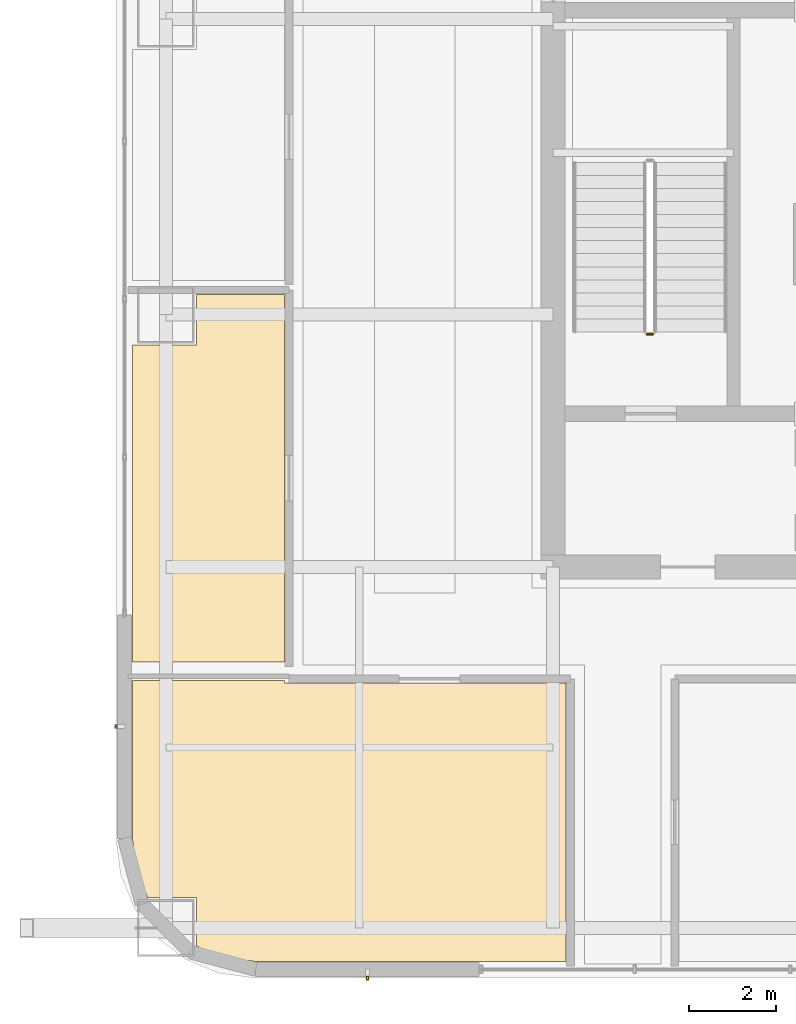
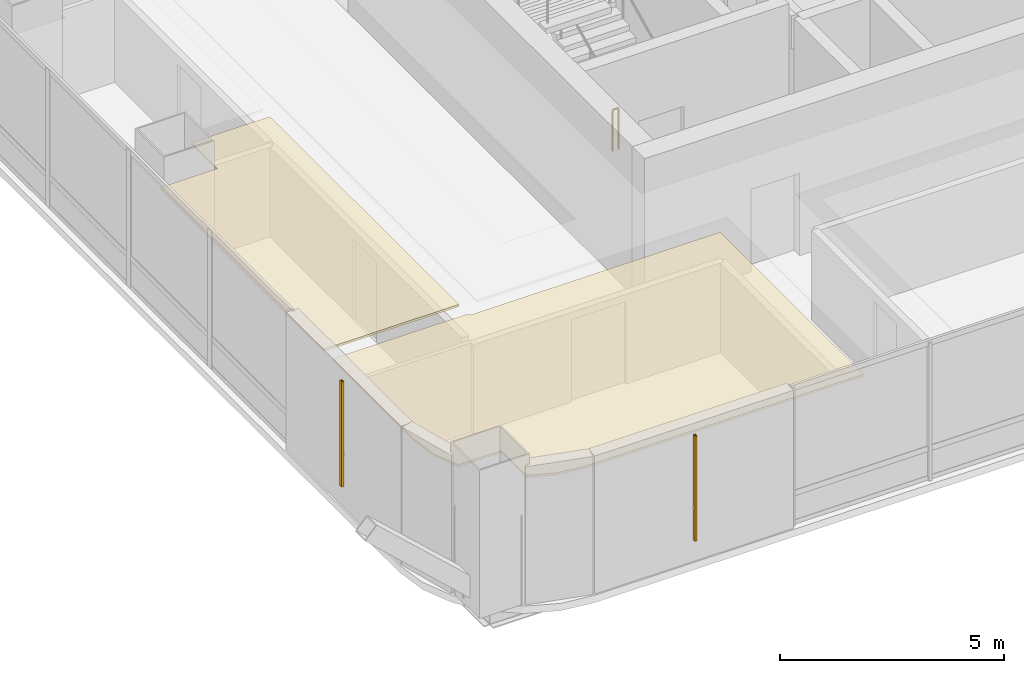
# One storey, part 41 of 51: 2 coverings, 2 shading devices, 1 railing.
"""IFC4 building model written with IfcOpenShell, lengths in metres."""

import ifcopenshell
import ifcopenshell.guid

model = None  # the IFC model being written
_history = None  # IfcOwnerHistory: only IFC2X3 demands one
_inside = {}  # id of a spatial element -> (the spatial element, [elements in it])
_under = {}  # id of a project, library or spatial element -> (it, [spatial elements below it])
_declared = {}  # id of a project -> (the project, [libraries it declares])
_typed = {}  # id of a type object -> (the type object, [elements of that type])
_made_of = {}  # id of a material, layer set ... -> (it, [elements and type objects made of it])


def new_model(schema):
    """Start an empty IFC model of exactly this schema.

    Asked for "IFC4X3", IfcOpenShell would pick the latest addendum, in which some entities
    have other attributes; the version numbers below select the first issue.
    IFC2X3 requires an IfcOwnerHistory on every rooted entity: one is made here for all.
    """
    global model, _history
    if schema == "IFC4X3":
        model = ifcopenshell.file(schema_version=(4, 3, 0, 0))
    else:
        model = ifcopenshell.file(schema=schema)
    _inside.clear()
    _under.clear()
    _declared.clear()
    _typed.clear()
    _made_of.clear()
    _history = None
    if model.schema == "IFC2X3":
        org = make("IfcOrganization", Name="unknown")
        user = make(
            "IfcPersonAndOrganization",
            ThePerson=make("IfcPerson", FamilyName="unknown"),
            TheOrganization=org,
        )
        app = make(
            "IfcApplication",
            ApplicationDeveloper=org,
            Version="unknown",
            ApplicationFullName="unknown",
            ApplicationIdentifier="unknown",
        )
        _history = make(
            "IfcOwnerHistory",
            OwningUser=user,
            OwningApplication=app,
            ChangeAction="ADDED",
            CreationDate=0,
        )
    return model


def make(cls, **values):
    """One entity of the class cls with the attributes given. An attribute that is None is left unset."""
    return model.create_entity(
        cls, **{name: value for name, value in values.items() if value is not None}
    )


def rooted(cls, **values):
    """An entity with a GlobalId (a new one), such as an element, a storey or a relation."""
    return make(cls, GlobalId=ifcopenshell.guid.new(), OwnerHistory=_history, **values)


def si_unit(unit_type, name, prefix=None):
    """IfcSIUnit, for example si_unit("LENGTHUNIT", "METRE", prefix="MILLI")."""
    return make("IfcSIUnit", UnitType=unit_type, Prefix=prefix, Name=name)


def assignment(units):
    """IfcUnitAssignment: the units of a project."""
    return None if units is None else make("IfcUnitAssignment", Units=units)


def point(xyz):
    """IfcCartesianPoint."""
    return None if xyz is None else make("IfcCartesianPoint", Coordinates=xyz)


def direction(xyz):
    """IfcDirection."""
    return None if xyz is None else make("IfcDirection", DirectionRatios=xyz)


def frame(location, z_axis=None, x_axis=None):
    """IfcAxis2Placement3D, a coordinate frame: its origin and axes. An axis left out is left unset."""
    return make(
        "IfcAxis2Placement3D",
        Location=point(location),
        Axis=direction(z_axis),
        RefDirection=direction(x_axis),
    )


def frame_2d(location, x_axis=None):
    """IfcAxis2Placement2D, a coordinate frame in the plane: its origin and x axis."""
    return make(
        "IfcAxis2Placement2D", Location=point(location), RefDirection=direction(x_axis)
    )


def origin():
    """The frame at (0, 0, 0) with its axes left unset."""
    return frame((0.0, 0.0, 0.0))


def origin_2d():
    """The frame at (0, 0) in the plane with its x axis left unset."""
    return frame_2d((0.0, 0.0))


def place(relative_to, where):
    """IfcLocalPlacement: puts the frame where relative to a parent placement (None: the world)."""
    return make(
        "IfcLocalPlacement", PlacementRelTo=relative_to, RelativePlacement=where
    )


def context(
    kind, dimensions, precision=None, world=None, true_north=None, identifier=None
):
    """IfcGeometricRepresentationContext, for example the 3D "Model" context."""
    return make(
        "IfcGeometricRepresentationContext",
        ContextIdentifier=identifier,
        ContextType=kind,
        CoordinateSpaceDimension=dimensions,
        Precision=precision,
        WorldCoordinateSystem=world,
        TrueNorth=true_north,
    )


def subcontext(parent, identifier, kind, view, scale=None):
    """IfcGeometricRepresentationSubContext, for example "Body" below "Model"."""
    return make(
        "IfcGeometricRepresentationSubContext",
        ContextIdentifier=identifier,
        ContextType=kind,
        ParentContext=parent,
        TargetScale=scale,
        TargetView=view,
    )


def project(units=None, contexts=None):
    """IfcProject with its units and contexts."""
    return rooted(
        "IfcProject",
        Name="project",
        RepresentationContexts=contexts,
        UnitsInContext=assignment(units),
    )


def spatial(cls, under=None, at=None, **own):
    """A site, building, storey or space (cls), placed at a placement, below another one or the project."""
    s = rooted(cls, ObjectPlacement=at, **own)
    if under is not None:
        _under.setdefault(under.id(), (under, []))[1].append(s)
    return s


def polyline(points):
    """IfcPolyline through the points."""
    return make("IfcPolyline", Points=[point(p) for p in points])


def profile(cls, at=None, kind="AREA", **sizes):
    """A parametric profile (cls). Its sizes go by their IFC names, for example OverallWidth=200.0."""
    return make(cls, ProfileType=kind, Position=at, **sizes)


def hollow_rectangle(**sizes):
    """IfcRectangleHollowProfileDef."""
    return profile("IfcRectangleHollowProfileDef", **sizes)


def circle(**sizes):
    """IfcCircleProfileDef."""
    return profile("IfcCircleProfileDef", **sizes)


def outline(outer, holes=None, kind="AREA"):
    """IfcArbitraryClosedProfileDef: a profile drawn as a closed curve; with holes, ...WithVoids."""
    if holes is None:
        return make("IfcArbitraryClosedProfileDef", ProfileType=kind, OuterCurve=outer)
    return make(
        "IfcArbitraryProfileDefWithVoids",
        ProfileType=kind,
        OuterCurve=outer,
        InnerCurves=holes,
    )


def extrude(swept, where, along, depth):
    """IfcExtrudedAreaSolid: the profile swept, set in the frame where, extruded along a direction by depth."""
    return make(
        "IfcExtrudedAreaSolid",
        SweptArea=swept,
        Position=where,
        ExtrudedDirection=direction(along),
        Depth=depth,
    )


def shape(context_of_items, identifier, shape_type, items):
    """IfcShapeRepresentation: the items that make up one representation, for example the "Body"."""
    return make(
        "IfcShapeRepresentation",
        ContextOfItems=context_of_items,
        RepresentationIdentifier=identifier,
        RepresentationType=shape_type,
        Items=items,
    )


def material(Name=None, Category=None):
    """IfcMaterial."""
    return make("IfcMaterial", Name=Name, Category=Category)


def layer(
    of_material, thickness, ventilated=None, Name=None, Category=None, Priority=None
):
    """IfcMaterialLayer: one layer of a wall or slab, of a material (None: an air gap)."""
    return make(
        "IfcMaterialLayer",
        Material=of_material,
        LayerThickness=thickness,
        IsVentilated=ventilated,
        Name=Name,
        Category=Category,
        Priority=Priority,
    )


def layer_set(layers, Name=None):
    """IfcMaterialLayerSet."""
    return make("IfcMaterialLayerSet", MaterialLayers=layers, LayerSetName=Name)


def material_profile(
    of_material, cross_section, Name=None, Category=None, Priority=None
):
    """IfcMaterialProfile: a cross section and its material."""
    return make(
        "IfcMaterialProfile",
        Name=Name,
        Material=of_material,
        Profile=cross_section,
        Priority=Priority,
        Category=Category,
    )


def profile_set(profiles, Name=None, composite=None):
    """IfcMaterialProfileSet."""
    return make(
        "IfcMaterialProfileSet",
        Name=Name,
        MaterialProfiles=profiles,
        CompositeProfile=composite,
    )


def made_of(thing, what):
    """Note that an element or type object is made of a material, layer set ...; save() writes the relation."""
    if what is not None:
        _made_of.setdefault(what.id(), (what, []))[1].append(thing)
    return thing


def type_object(cls, material=None, **own):
    """A type object (cls), such as IfcWallType, which elements share."""
    return made_of(rooted(cls, **own), material)


def element(
    cls,
    number,
    at=None,
    inside=None,
    cuts=None,
    type_object=None,
    material=None,
    context=None,
    identifier="Body",
    shape_type=None,
    held_by="IfcProductDefinitionShape",
    body=None,
    shapes=None,
    **own,
):
    """One element of the class cls, such as IfcWall. Its Tag is "e" and its number.

    at: its placement. inside: the storey or other place that contains it. cuts: it is an
    opening in that element (IfcRelVoidsElement). A single representation is given by context,
    identifier, shape_type and body (its items); several are given by shapes. held_by: the class
    of the entity that holds the representations. save() writes the other relations.
    """
    e = rooted(cls, Tag="e%d" % number, ObjectPlacement=at, **own)
    if body is not None:
        shapes = [shape(context, identifier, shape_type, body)]
    if shapes is not None:
        e.Representation = make(held_by, Representations=shapes)
    if inside is not None:
        _inside.setdefault(inside.id(), (inside, []))[1].append(e)
    if cuts is not None:
        rooted(
            "IfcRelVoidsElement", RelatingBuildingElement=cuts, RelatedOpeningElement=e
        )
    if type_object is not None:
        _typed.setdefault(type_object.id(), (type_object, []))[1].append(e)
    return made_of(e, material)


def aggregate(whole, parts):
    """IfcRelAggregates: a whole, such as a stair, and the parts it consists of."""
    return rooted("IfcRelAggregates", RelatingObject=whole, RelatedObjects=parts)


def save(model, path):
    """Write the relations noted so far, then the file.

    IfcRelAggregates (storeys below a building ...), IfcRelContainedInSpatialStructure (elements
    in a storey), IfcRelDefinesByType, IfcRelAssociatesMaterial and IfcRelDeclares: one each for
    every whole, place, type object, material and project.
    """
    for whole, parts in _under.values():
        aggregate(whole, parts)
    for where, things in _inside.values():
        rooted(
            "IfcRelContainedInSpatialStructure",
            RelatedElements=things,
            RelatingStructure=where,
        )
    for kind, things in _typed.values():
        rooted("IfcRelDefinesByType", RelatedObjects=things, RelatingType=kind)
    for what, things in _made_of.values():
        rooted("IfcRelAssociatesMaterial", RelatedObjects=things, RelatingMaterial=what)
    for by, libraries in _declared.values():
        rooted("IfcRelDeclares", RelatingContext=by, RelatedDefinitions=libraries)
    model.write(path)


model = new_model("IFC4")

# Units and contexts
model_context = context("Model", 3, precision=1e-05, world=origin(), true_north=direction((0.0, 1.0)))
body_context = subcontext(model_context, "Body", "Model", "MODEL_VIEW")
ifc_project = project(units=[si_unit("LENGTHUNIT", "METRE"), si_unit("AREAUNIT", "SQUARE_METRE"), si_unit("VOLUMEUNIT", "CUBIC_METRE"), si_unit("PLANEANGLEUNIT", "RADIAN"), si_unit("MASSUNIT", "GRAM", prefix="KILO")], contexts=[model_context])

# Site, building, storey
site_placement = place(None, origin())
site = spatial("IfcSite", under=ifc_project, at=site_placement, CompositionType="ELEMENT")
building_placement = place(site_placement, origin())
building = spatial("IfcBuilding", under=site, at=building_placement, Name="Punatoya Terracotta Tower", CompositionType="ELEMENT")
storey_placement = place(building_placement, frame((0.0, 0.0, 279.75)))
storey = spatial("IfcBuildingStorey", under=building, at=storey_placement, Name="L66", CompositionType="ELEMENT", Elevation=279.75)

# Coverings
ifc_material_1 = material(Name="Acoustic Mineral Fibre Ceiling")
ifc_layer = layer(ifc_material_1, 0.06005859375)
ifc_layer_set = layer_set([ifc_layer], Name="Acoustic Mineral Fibre Ceiling")
covering_type = type_object("IfcCoveringType", Name="COV-CEIL-60", PredefinedType="CEILING", material=ifc_layer_set)
covering_1_placement = place(storey_placement, frame((0.0, 0.0, 3.239990234375)))
element("IfcCovering", 1, at=covering_1_placement, inside=storey, type_object=covering_type, Name="L66 Open-Plan Client Strategy Boardroom Acoustic Ceiling", PredefinedType="CEILING", context=body_context, shape_type="SweptSolid", body=[
    extrude(outline(polyline([(-17.025146484375, -18.27001953125), (-9.89990234375, -18.27001953125), (-9.89990234375, -11.8701171875), (-16.3701171875, -11.8701171875), (-16.3701171875, -11.81005859375), (-19.8701171875, -11.81005859375), (-19.8701171875, -15.425048828125), (-19.770751953125, -16.178955078125), (-19.513427734375, -16.800048828125), (-18.39990234375, -16.800048828125), (-18.39990234375, -17.91357421875), (-17.779052734375, -18.1708984375), (-17.025146484375, -18.27001953125)])), origin(), (0.0, 0.0, 1.0), 0.06005859375),
])
covering_2_placement = place(storey_placement, frame((0.0, 0.0, 3.239990234375)))
element("IfcCovering", 2, at=covering_2_placement, inside=storey, type_object=covering_type, Name="L66 Open-Plan Breakout Tea Pantry Acoustic Ceiling", PredefinedType="CEILING", context=body_context, shape_type="SweptSolid", body=[
    extrude(outline(polyline([(-19.8701171875, -4.10009765625), (-19.8701171875, -11.389892578125), (-16.3701171875, -11.389892578125), (-16.3701171875, -2.931884765625), (-18.39990234375, -2.931884765625), (-18.39990234375, -4.10009765625), (-19.8701171875, -4.10009765625)])), origin(), (0.0, 0.0, 1.0), 0.06005859375),
])

# Railing
ifc_material_2 = material(Name="Steel S355", Category="steel")
railing_type = type_object("IfcRailingType", Name="RLG-GRD-1150", PredefinedType="GUARDRAIL", material=ifc_material_2)
railing_placement = place(storey_placement, frame((-7.89990234375, -3.85009765625, 0.0)))
element("IfcRailing", 3, at=railing_placement, inside=storey, type_object=railing_type, Name="L66 ST-1 stair guard 4", PredefinedType="GUARDRAIL", context=body_context, shape_type="SweptSolid", body=[
    extrude(circle(Radius=0.02392578125, at=origin_2d()), frame((0.0, 0.0, 1.1259765625), z_axis=(-1.0, 0.0, 0.0), x_axis=(0.0, -1.0, 0.0)), (0.0, 0.0, 1.0), 0.150146484375),
    extrude(circle(Radius=0.02099609375, at=origin_2d()), origin(), (0.0, 0.0, 1.0), 1.101806640625),
    extrude(circle(Radius=0.02099609375, at=origin_2d()), frame((-0.150146484375, 0.0, 0.0)), (0.0, 0.0, 1.0), 1.101806640625),
])

# Shading devices
ifc_material_3 = material(Name="Architectural Fired Terracotta", Category="masonry")
ifc_material_profile = material_profile(ifc_material_3, hollow_rectangle(XDim=0.06005859375, YDim=0.090087890625, WallThickness=0.013916015625, at=origin_2d()))
ifc_profile_set = profile_set([ifc_material_profile], Name="Architectural Fired Terracotta")
shading_device_type = type_object("IfcShadingDeviceType", Name="SHD-JALI-90", PredefinedType="JALOUSIE", material=ifc_profile_set)
for number, where, z_axis, x_axis, name in (
    (4, (-14.468505859375, -18.64990234375, 0.60009765625), (0.0, 0.0, 1.0), (1.0, 0.0, 0.0), "L66 Braced Bay Terracotta Jali Fin S1"),
    (5, (-20.25, -12.868408203125, 0.60009765625), (0.0, 0.0, 1.0), (1.0, 0.0, 0.0), "L66 Braced Bay Terracotta Jali Fin W2"),
):
    element("IfcShadingDevice", number, at=place(storey_placement, frame(where, z_axis=z_axis, x_axis=x_axis)), inside=storey, type_object=shading_device_type, Name=name, PredefinedType="JALOUSIE", context=body_context, shape_type="SweptSolid", body=[
        extrude(hollow_rectangle(XDim=0.06005859375, YDim=0.090087890625, WallThickness=0.013916015625, at=origin_2d()), origin(), (0.0, 0.0, 1.0), 2.869873046875),
    ])

save(model, "model.ifc")
